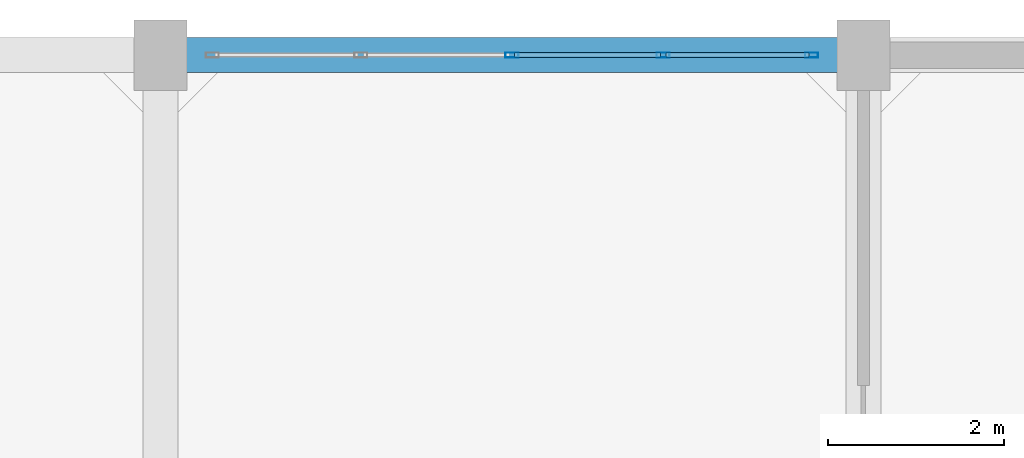
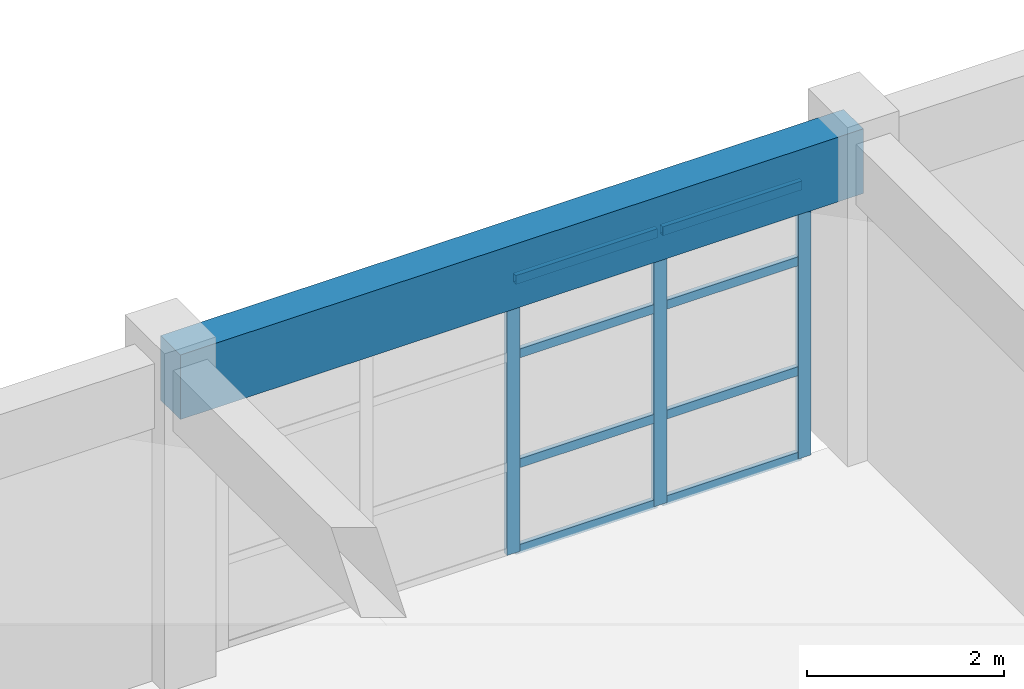
# One storey, part 15 of 27: 11 members, 1 beam, 1 element without a shape of its own.
"""IFC4 building model written with IfcOpenShell, lengths in metres."""

from ifc_helpers import new_model, si_unit, direction, frame, origin, origin_2d, place, context, subcontext, project, spatial, rectangle, hollow_rectangle, extrude, material, layer, layer_set, material_profile, profile_set, type_object, element, aggregate, save


model = new_model("IFC4")

# Units and contexts
model_context = context("Model", 3, precision=1e-05, world=origin(), true_north=direction((0.0, 1.0)))
body_context = subcontext(model_context, "Body", "Model", "MODEL_VIEW")
ifc_project = project(units=[si_unit("LENGTHUNIT", "METRE"), si_unit("AREAUNIT", "SQUARE_METRE"), si_unit("VOLUMEUNIT", "CUBIC_METRE"), si_unit("PLANEANGLEUNIT", "RADIAN"), si_unit("MASSUNIT", "GRAM", prefix="KILO")], contexts=[model_context])

# Site, building, storey
site_placement = place(None, origin())
site = spatial("IfcSite", under=ifc_project, at=site_placement, CompositionType="ELEMENT")
building_placement = place(site_placement, origin())
building = spatial("IfcBuilding", under=site, at=building_placement, Name="Canggui Botanical Conservatory", CompositionType="ELEMENT")
storey_placement = place(building_placement, frame((0.0, 0.0, 23.39990234375)))
storey = spatial("IfcBuildingStorey", under=building, at=storey_placement, Name="L06", CompositionType="ELEMENT", Elevation=23.39990234375)

# Beam
ifc_material_1 = material(Name="Concrete C35", Category="concrete")
ifc_material_profile_1 = material_profile(ifc_material_1, rectangle(XDim=0.39990234375, YDim=0.800048828125, at=origin_2d()), Name="RB 400x800")
ifc_profile_set_1 = profile_set([ifc_material_profile_1], Name="Concrete C35")
beam_type = type_object("IfcBeamType", Name="BM-KL09", PredefinedType="BEAM", material=ifc_profile_set_1)
beam_placement = place(storey_placement, frame((154.0, 74.0, 3.56005859375), z_axis=(1.0, 0.0, 0.0), x_axis=(0.0, 1.0, 0.0)))
element("IfcBeam", 1, at=beam_placement, inside=storey, type_object=beam_type, Name="Frame Girder L06 Y74-3", PredefinedType="BEAM", context=body_context, shape_type="SweptSolid", body=[
    extrude(rectangle(XDim=0.39990234375, YDim=0.800048828125, at=origin_2d()), origin(), (0.0, 0.0, 1.0), 8.0),
])

# Curtain wall, members
ifc_material_2 = material(Name="Thermally Broken Aluminium", Category="aluminium")
ifc_layer = layer(ifc_material_2, 0.14990234375, Name="Thermally Broken Aluminium", Category="aluminium")
ifc_layer_set = layer_set([ifc_layer], Name="Thermally Broken Aluminium")
curtain_wall_type = type_object("IfcCurtainWallType", Name="CW-UNIT-C", PredefinedType="USERDEFINED", material=ifc_layer_set)
curtain_wall_placement = place(storey_placement, origin())
curtain_wall = element("IfcCurtainWall", 2, at=curtain_wall_placement, inside=storey, type_object=curtain_wall_type, Name="Facade Curtain Wall CW-TWR-L06-14", ObjectType="UNITISED CURTAIN WALL", PredefinedType="USERDEFINED")
ifc_material_profile_2 = material_profile(ifc_material_2, hollow_rectangle(XDim=0.06005859375, YDim=0.14990234375, WallThickness=0.00341796875, at=origin_2d()), Name="CWM 60x150x3.5")
ifc_profile_set_2 = profile_set([ifc_material_profile_2], Name="Thermally Broken Aluminium")
member_type_1 = type_object("IfcMemberType", Name="CWM-03", PredefinedType="MULLION", material=ifc_profile_set_2)
member_1_placement = place(storey_placement, frame((158.0, 74.0, 0.0), z_axis=(0.0, 0.0, 1.0), x_axis=(0.0, 1.0, 0.0)))
member_1 = element("IfcMember", 3, at=member_1_placement, type_object=member_type_1, Name="CW-03 mullion 3", PredefinedType="MULLION", context=body_context, shape_type="SweptSolid", body=[
    extrude(hollow_rectangle(XDim=0.06005859375, YDim=0.14990234375, WallThickness=0.00341796875, at=origin_2d()), origin(), (0.0, 0.0, 1.0), 3.400146484375),
])
member_2_placement = place(storey_placement, frame((159.719970703125, 74.0, 0.0), z_axis=(0.0, 0.0, 1.0), x_axis=(0.0, 1.0, 0.0)))
member_2 = element("IfcMember", 4, at=member_2_placement, type_object=member_type_1, Name="CW-03 mullion 4", PredefinedType="MULLION", context=body_context, shape_type="SweptSolid", body=[
    extrude(hollow_rectangle(XDim=0.06005859375, YDim=0.14990234375, WallThickness=0.00341796875, at=origin_2d()), origin(), (0.0, 0.0, 1.0), 3.400146484375),
])
member_3_placement = place(storey_placement, frame((161.409912109375, 74.0, 0.0), z_axis=(0.0, 0.0, 1.0), x_axis=(0.0, 1.0, 0.0)))
member_3 = element("IfcMember", 5, at=member_3_placement, type_object=member_type_1, Name="CW-03 mullion 5", PredefinedType="MULLION", context=body_context, shape_type="SweptSolid", body=[
    extrude(hollow_rectangle(XDim=0.06005859375, YDim=0.14990234375, WallThickness=0.00341796875, at=origin_2d()), origin(), (0.0, 0.0, 1.0), 3.400146484375),
])
ifc_material_profile_3 = material_profile(ifc_material_2, hollow_rectangle(XDim=0.054931640625, YDim=0.110107421875, WallThickness=0.0029296875, at=origin_2d()), Name="CWT 55x110x3")
ifc_profile_set_3 = profile_set([ifc_material_profile_3], Name="Thermally Broken Aluminium")
member_type_2 = type_object("IfcMemberType", Name="CWT-03", PredefinedType="USERDEFINED", material=ifc_profile_set_3)
member_4_placement = place(storey_placement, frame((158.030029296875, 74.0, 0.027587890625), z_axis=(1.0, 0.0, 0.0), x_axis=(0.0, 1.0, 0.0)))
member_4 = element("IfcMember", 6, at=member_4_placement, type_object=member_type_2, Name="CW-03 transom 3.1", ObjectType="TRANSOM", PredefinedType="USERDEFINED", context=body_context, shape_type="SweptSolid", body=[
    extrude(hollow_rectangle(XDim=0.054931640625, YDim=0.110107421875, WallThickness=0.0029296875, at=origin_2d()), origin(), (0.0, 0.0, 1.0), 1.659912109375),
])
member_5_placement = place(storey_placement, frame((158.030029296875, 74.0, 1.088134765625), z_axis=(1.0, 0.0, 0.0), x_axis=(0.0, 1.0, 0.0)))
member_5 = element("IfcMember", 7, at=member_5_placement, type_object=member_type_2, Name="CW-03 transom 3.2", ObjectType="TRANSOM", PredefinedType="USERDEFINED", context=body_context, shape_type="SweptSolid", body=[
    extrude(hollow_rectangle(XDim=0.054931640625, YDim=0.110107421875, WallThickness=0.0029296875, at=origin_2d()), origin(), (0.0, 0.0, 1.0), 1.659912109375),
])
member_6_placement = place(storey_placement, frame((158.030029296875, 74.0, 2.447998046875), z_axis=(1.0, 0.0, 0.0), x_axis=(0.0, 1.0, 0.0)))
member_6 = element("IfcMember", 8, at=member_6_placement, type_object=member_type_2, Name="CW-03 transom 3.3", ObjectType="TRANSOM", PredefinedType="USERDEFINED", context=body_context, shape_type="SweptSolid", body=[
    extrude(hollow_rectangle(XDim=0.054931640625, YDim=0.110107421875, WallThickness=0.0029296875, at=origin_2d()), origin(), (0.0, 0.0, 1.0), 1.659912109375),
])
member_7_placement = place(storey_placement, frame((158.030029296875, 74.0, 3.37255859375), z_axis=(1.0, 0.0, 0.0), x_axis=(0.0, 1.0, 0.0)))
member_7 = element("IfcMember", 9, at=member_7_placement, type_object=member_type_2, Name="CW-03 transom 3.4", ObjectType="TRANSOM", PredefinedType="USERDEFINED", context=body_context, shape_type="SweptSolid", body=[
    extrude(hollow_rectangle(XDim=0.054931640625, YDim=0.110107421875, WallThickness=0.0029296875, at=origin_2d()), origin(), (0.0, 0.0, 1.0), 1.659912109375),
])
member_8_placement = place(storey_placement, frame((159.75, 74.0, 0.027587890625), z_axis=(1.0, 0.0, 0.0), x_axis=(0.0, 1.0, 0.0)))
member_8 = element("IfcMember", 10, at=member_8_placement, type_object=member_type_2, Name="CW-03 transom 4.1", ObjectType="TRANSOM", PredefinedType="USERDEFINED", context=body_context, shape_type="SweptSolid", body=[
    extrude(hollow_rectangle(XDim=0.054931640625, YDim=0.110107421875, WallThickness=0.0029296875, at=origin_2d()), origin(), (0.0, 0.0, 1.0), 1.6298828125),
])
member_9_placement = place(storey_placement, frame((159.75, 74.0, 1.088134765625), z_axis=(1.0, 0.0, 0.0), x_axis=(0.0, 1.0, 0.0)))
member_9 = element("IfcMember", 11, at=member_9_placement, type_object=member_type_2, Name="CW-03 transom 4.2", ObjectType="TRANSOM", PredefinedType="USERDEFINED", context=body_context, shape_type="SweptSolid", body=[
    extrude(hollow_rectangle(XDim=0.054931640625, YDim=0.110107421875, WallThickness=0.0029296875, at=origin_2d()), origin(), (0.0, 0.0, 1.0), 1.6298828125),
])
member_10_placement = place(storey_placement, frame((159.75, 74.0, 2.447998046875), z_axis=(1.0, 0.0, 0.0), x_axis=(0.0, 1.0, 0.0)))
member_10 = element("IfcMember", 12, at=member_10_placement, type_object=member_type_2, Name="CW-03 transom 4.3", ObjectType="TRANSOM", PredefinedType="USERDEFINED", context=body_context, shape_type="SweptSolid", body=[
    extrude(hollow_rectangle(XDim=0.054931640625, YDim=0.110107421875, WallThickness=0.0029296875, at=origin_2d()), origin(), (0.0, 0.0, 1.0), 1.6298828125),
])
member_11_placement = place(storey_placement, frame((159.75, 74.0, 3.37255859375), z_axis=(1.0, 0.0, 0.0), x_axis=(0.0, 1.0, 0.0)))
member_11 = element("IfcMember", 13, at=member_11_placement, type_object=member_type_2, Name="CW-03 transom 4.4", ObjectType="TRANSOM", PredefinedType="USERDEFINED", context=body_context, shape_type="SweptSolid", body=[
    extrude(hollow_rectangle(XDim=0.054931640625, YDim=0.110107421875, WallThickness=0.0029296875, at=origin_2d()), origin(), (0.0, 0.0, 1.0), 1.6298828125),
])
aggregate(curtain_wall, [member_1, member_2, member_3, member_4, member_5, member_6, member_7, member_8, member_9, member_10, member_11])

save(model, "model.ifc")
